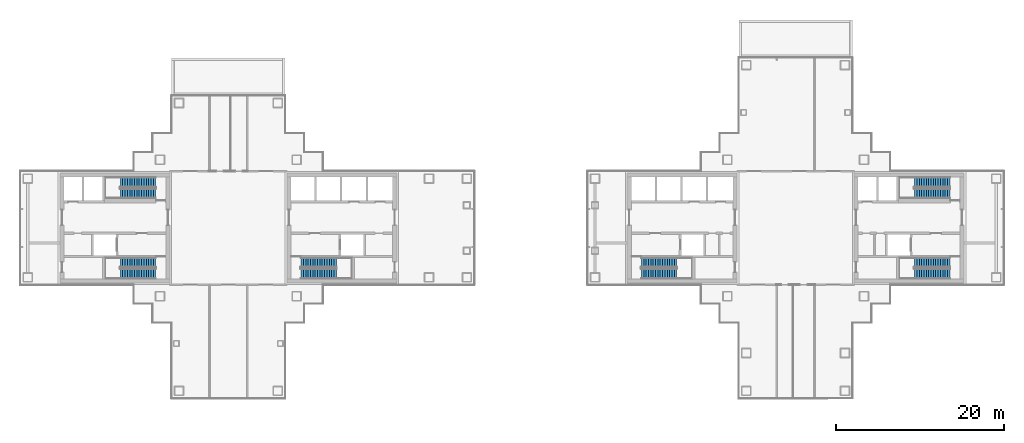
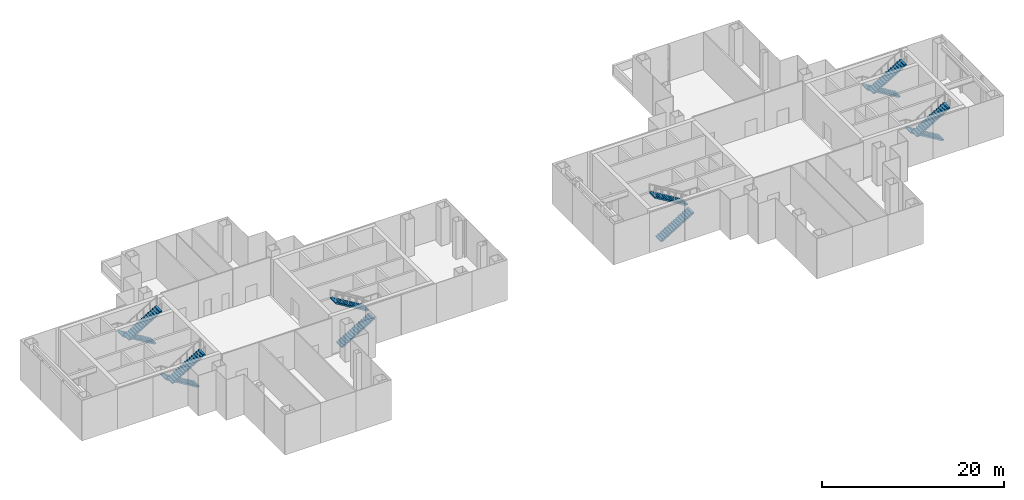
# One storey, part 13 of 15: 12 stair flights, 6 elements without a shape of their own.
"""IFC4 building model written with IfcOpenShell, lengths in metres."""

from ifc_helpers import new_model, si_unit, direction, frame, origin, place, context, subcontext, project, spatial, polyline, outline, extrude, material, type_object, element, aggregate, save


model = new_model("IFC4")

# Units and contexts
model_context = context("Model", 3, precision=1e-05, world=origin(), true_north=direction((0.0, 1.0)))
body_context = subcontext(model_context, "Body", "Model", "MODEL_VIEW")
ifc_project = project(units=[si_unit("LENGTHUNIT", "METRE"), si_unit("AREAUNIT", "SQUARE_METRE"), si_unit("VOLUMEUNIT", "CUBIC_METRE"), si_unit("PLANEANGLEUNIT", "RADIAN"), si_unit("MASSUNIT", "GRAM", prefix="KILO")], contexts=[model_context])

# Site, building, storey
site_placement = place(None, origin())
site = spatial("IfcSite", under=ifc_project, at=site_placement, CompositionType="ELEMENT")
building_placement = place(site_placement, origin())
building = spatial("IfcBuilding", under=site, at=building_placement, Name="Shamsa Quay Exchange Towers", CompositionType="ELEMENT")
storey_placement = place(building_placement, frame((0.0, 0.0, 133.5)))
storey = spatial("IfcBuildingStorey", under=building, at=storey_placement, Name="L31", CompositionType="ELEMENT", Elevation=133.5)

# Stair, stair flights
ifc_material = material(Name="Concrete C40/50", Category="concrete")
stair_type = type_object("IfcStairType", Name="EXIT STAIR 32 RISERS 169 MM", PredefinedType="HALF_TURN_STAIR", material=ifc_material)
stair_1_placement = place(storey_placement, origin())
stair_1 = element("IfcStair", 1, at=stair_1_placement, inside=storey, type_object=stair_type, Name="L31 Exit stair ST1", PredefinedType="HALF_TURN_STAIR")
stair_flight_type = type_object("IfcStairFlightType", Name="EXIT STAIR FLIGHT 16 RISERS 169 MM", PredefinedType="STRAIGHT", material=ifc_material)
stair_flight_1_placement = place(storey_placement, frame((-25.10009765625, -5.449951171875, 0.0)))
stair_flight_1 = element("IfcStairFlight", 2, at=stair_flight_1_placement, type_object=stair_flight_type, Name="ST1 flight 1", NumberOfRisers=16, NumberOfTreads=15, PredefinedType="STRAIGHT", RiserHeight=0.16875, TreadLength=0.28, context=body_context, shape_type="SweptSolid", body=[
    extrude(outline(polyline([(0.0, 0.0), (0.0, 0.168701171875), (0.280029296875, 0.168701171875), (0.280029296875, 0.33740234375), (0.56005859375, 0.33740234375), (0.56005859375, 0.50634765625), (0.840087890625, 0.50634765625), (0.840087890625, 0.675048828125), (1.1201171875, 0.675048828125), (1.1201171875, 0.84375), (1.39990234375, 0.84375), (1.39990234375, 1.012451171875), (1.679931640625, 1.012451171875), (1.679931640625, 1.18115234375), (1.9599609375, 1.18115234375), (1.9599609375, 1.35009765625), (2.239990234375, 1.35009765625), (2.239990234375, 1.518798828125), (2.52001953125, 1.518798828125), (2.52001953125, 1.6875), (2.800048828125, 1.6875), (2.800048828125, 1.856201171875), (3.080078125, 1.856201171875), (3.080078125, 2.02490234375), (3.360107421875, 2.02490234375), (3.360107421875, 2.19384765625), (3.639892578125, 2.19384765625), (3.639892578125, 2.362548828125), (3.919921875, 2.362548828125), (3.919921875, 2.53125), (4.199951171875, 2.53125), (4.199951171875, 2.699951171875), (4.199951171875, 2.367919921875), (0.27099609375, 0.0), (0.0, 0.0)])), frame((0.0, 0.60009765625, 0.0), z_axis=(0.0, -1.0, 0.0), x_axis=(1.0, 0.0, 0.0)), (0.0, 0.0, 1.0), 1.199951171875),
])
stair_flight_2_placement = place(storey_placement, frame((-20.89990234375, -4.10009765625, 2.699951171875), z_axis=(0.0, 0.0, 1.0), x_axis=(-1.0, 0.0, 0.0)))
stair_flight_2 = element("IfcStairFlight", 3, at=stair_flight_2_placement, type_object=stair_flight_type, Name="ST1 flight 2", NumberOfRisers=16, NumberOfTreads=15, PredefinedType="STRAIGHT", RiserHeight=0.16875, TreadLength=0.28, context=body_context, shape_type="SweptSolid", body=[
    extrude(outline(polyline([(0.0, 0.0), (0.0, 0.168701171875), (0.280029296875, 0.168701171875), (0.280029296875, 0.33740234375), (0.56005859375, 0.33740234375), (0.56005859375, 0.50634765625), (0.840087890625, 0.50634765625), (0.840087890625, 0.675048828125), (1.1201171875, 0.675048828125), (1.1201171875, 0.84375), (1.39990234375, 0.84375), (1.39990234375, 1.012451171875), (1.679931640625, 1.012451171875), (1.679931640625, 1.18115234375), (1.9599609375, 1.18115234375), (1.9599609375, 1.35009765625), (2.239990234375, 1.35009765625), (2.239990234375, 1.518798828125), (2.52001953125, 1.518798828125), (2.52001953125, 1.6875), (2.800048828125, 1.6875), (2.800048828125, 1.856201171875), (3.080078125, 1.856201171875), (3.080078125, 2.02490234375), (3.360107421875, 2.02490234375), (3.360107421875, 2.19384765625), (3.639892578125, 2.19384765625), (3.639892578125, 2.362548828125), (3.919921875, 2.362548828125), (3.919921875, 2.53125), (4.199951171875, 2.53125), (4.199951171875, 2.699951171875), (4.199951171875, 2.367919921875), (0.27099609375, 0.0), (0.0, 0.0)])), frame((0.0, 0.60009765625, 0.0), z_axis=(0.0, -1.0, 0.0), x_axis=(1.0, 0.0, 0.0)), (0.0, 0.0, 1.0), 1.199951171875),
])
aggregate(stair_1, [stair_flight_1, stair_flight_2])

stair_2_placement = place(storey_placement, origin())
stair_2 = element("IfcStair", 4, at=stair_2_placement, inside=storey, type_object=stair_type, Name="L31 Exit stair ST2", PredefinedType="HALF_TURN_STAIR")
stair_flight_3_placement = place(storey_placement, frame((-42.39990234375, -4.10009765625, 0.0), z_axis=(0.0, 0.0, 1.0), x_axis=(-1.0, 0.0, 0.0)))
stair_flight_3 = element("IfcStairFlight", 5, at=stair_flight_3_placement, type_object=stair_flight_type, Name="ST2 flight 1", NumberOfRisers=16, NumberOfTreads=15, PredefinedType="STRAIGHT", RiserHeight=0.16875, TreadLength=0.28, context=body_context, shape_type="SweptSolid", body=[
    extrude(outline(polyline([(0.0, 0.0), (0.0, 0.168701171875), (0.280029296875, 0.168701171875), (0.280029296875, 0.33740234375), (0.56005859375, 0.33740234375), (0.56005859375, 0.50634765625), (0.840087890625, 0.50634765625), (0.840087890625, 0.675048828125), (1.1201171875, 0.675048828125), (1.1201171875, 0.84375), (1.39990234375, 0.84375), (1.39990234375, 1.012451171875), (1.679931640625, 1.012451171875), (1.679931640625, 1.18115234375), (1.9599609375, 1.18115234375), (1.9599609375, 1.35009765625), (2.239990234375, 1.35009765625), (2.239990234375, 1.518798828125), (2.52001953125, 1.518798828125), (2.52001953125, 1.6875), (2.800048828125, 1.6875), (2.800048828125, 1.856201171875), (3.080078125, 1.856201171875), (3.080078125, 2.02490234375), (3.360107421875, 2.02490234375), (3.360107421875, 2.19384765625), (3.639892578125, 2.19384765625), (3.639892578125, 2.362548828125), (3.919921875, 2.362548828125), (3.919921875, 2.53125), (4.199951171875, 2.53125), (4.199951171875, 2.699951171875), (4.199951171875, 2.367919921875), (0.27099609375, 0.0), (0.0, 0.0)])), frame((0.0, 0.60009765625, 0.0), z_axis=(0.0, -1.0, 0.0), x_axis=(1.0, 0.0, 0.0)), (0.0, 0.0, 1.0), 1.199951171875),
])
stair_flight_4_placement = place(storey_placement, frame((-46.60009765625, -5.449951171875, 2.699951171875)))
stair_flight_4 = element("IfcStairFlight", 6, at=stair_flight_4_placement, type_object=stair_flight_type, Name="ST2 flight 2", NumberOfRisers=16, NumberOfTreads=15, PredefinedType="STRAIGHT", RiserHeight=0.16875, TreadLength=0.28, context=body_context, shape_type="SweptSolid", body=[
    extrude(outline(polyline([(0.0, 0.0), (0.0, 0.168701171875), (0.280029296875, 0.168701171875), (0.280029296875, 0.33740234375), (0.56005859375, 0.33740234375), (0.56005859375, 0.50634765625), (0.840087890625, 0.50634765625), (0.840087890625, 0.675048828125), (1.1201171875, 0.675048828125), (1.1201171875, 0.84375), (1.39990234375, 0.84375), (1.39990234375, 1.012451171875), (1.679931640625, 1.012451171875), (1.679931640625, 1.18115234375), (1.9599609375, 1.18115234375), (1.9599609375, 1.35009765625), (2.239990234375, 1.35009765625), (2.239990234375, 1.518798828125), (2.52001953125, 1.518798828125), (2.52001953125, 1.6875), (2.800048828125, 1.6875), (2.800048828125, 1.856201171875), (3.080078125, 1.856201171875), (3.080078125, 2.02490234375), (3.360107421875, 2.02490234375), (3.360107421875, 2.19384765625), (3.639892578125, 2.19384765625), (3.639892578125, 2.362548828125), (3.919921875, 2.362548828125), (3.919921875, 2.53125), (4.199951171875, 2.53125), (4.199951171875, 2.699951171875), (4.199951171875, 2.367919921875), (0.27099609375, 0.0), (0.0, 0.0)])), frame((0.0, 0.60009765625, 0.0), z_axis=(0.0, -1.0, 0.0), x_axis=(1.0, 0.0, 0.0)), (0.0, 0.0, 1.0), 1.199951171875),
])
aggregate(stair_2, [stair_flight_3, stair_flight_4])

stair_3_placement = place(storey_placement, origin())
stair_3 = element("IfcStair", 7, at=stair_3_placement, inside=storey, type_object=stair_type, Name="L31 Exit stair ST3", PredefinedType="HALF_TURN_STAIR")
stair_flight_5_placement = place(storey_placement, frame((-42.39990234375, 5.449951171875, 0.0), z_axis=(0.0, 0.0, 1.0), x_axis=(-1.0, 0.0, 0.0)))
stair_flight_5 = element("IfcStairFlight", 8, at=stair_flight_5_placement, type_object=stair_flight_type, Name="ST3 flight 1", NumberOfRisers=16, NumberOfTreads=15, PredefinedType="STRAIGHT", RiserHeight=0.16875, TreadLength=0.28, context=body_context, shape_type="SweptSolid", body=[
    extrude(outline(polyline([(0.0, 0.0), (0.0, 0.168701171875), (0.280029296875, 0.168701171875), (0.280029296875, 0.33740234375), (0.56005859375, 0.33740234375), (0.56005859375, 0.50634765625), (0.840087890625, 0.50634765625), (0.840087890625, 0.675048828125), (1.1201171875, 0.675048828125), (1.1201171875, 0.84375), (1.39990234375, 0.84375), (1.39990234375, 1.012451171875), (1.679931640625, 1.012451171875), (1.679931640625, 1.18115234375), (1.9599609375, 1.18115234375), (1.9599609375, 1.35009765625), (2.239990234375, 1.35009765625), (2.239990234375, 1.518798828125), (2.52001953125, 1.518798828125), (2.52001953125, 1.6875), (2.800048828125, 1.6875), (2.800048828125, 1.856201171875), (3.080078125, 1.856201171875), (3.080078125, 2.02490234375), (3.360107421875, 2.02490234375), (3.360107421875, 2.19384765625), (3.639892578125, 2.19384765625), (3.639892578125, 2.362548828125), (3.919921875, 2.362548828125), (3.919921875, 2.53125), (4.199951171875, 2.53125), (4.199951171875, 2.699951171875), (4.199951171875, 2.367919921875), (0.27099609375, 0.0), (0.0, 0.0)])), frame((0.0, 0.60009765625, 0.0), z_axis=(0.0, -1.0, 0.0), x_axis=(1.0, 0.0, 0.0)), (0.0, 0.0, 1.0), 1.199951171875),
])
stair_flight_6_placement = place(storey_placement, frame((-46.60009765625, 4.10009765625, 2.699951171875)))
stair_flight_6 = element("IfcStairFlight", 9, at=stair_flight_6_placement, type_object=stair_flight_type, Name="ST3 flight 2", NumberOfRisers=16, NumberOfTreads=15, PredefinedType="STRAIGHT", RiserHeight=0.16875, TreadLength=0.28, context=body_context, shape_type="SweptSolid", body=[
    extrude(outline(polyline([(0.0, 0.0), (0.0, 0.168701171875), (0.280029296875, 0.168701171875), (0.280029296875, 0.33740234375), (0.56005859375, 0.33740234375), (0.56005859375, 0.50634765625), (0.840087890625, 0.50634765625), (0.840087890625, 0.675048828125), (1.1201171875, 0.675048828125), (1.1201171875, 0.84375), (1.39990234375, 0.84375), (1.39990234375, 1.012451171875), (1.679931640625, 1.012451171875), (1.679931640625, 1.18115234375), (1.9599609375, 1.18115234375), (1.9599609375, 1.35009765625), (2.239990234375, 1.35009765625), (2.239990234375, 1.518798828125), (2.52001953125, 1.518798828125), (2.52001953125, 1.6875), (2.800048828125, 1.6875), (2.800048828125, 1.856201171875), (3.080078125, 1.856201171875), (3.080078125, 2.02490234375), (3.360107421875, 2.02490234375), (3.360107421875, 2.19384765625), (3.639892578125, 2.19384765625), (3.639892578125, 2.362548828125), (3.919921875, 2.362548828125), (3.919921875, 2.53125), (4.199951171875, 2.53125), (4.199951171875, 2.699951171875), (4.199951171875, 2.367919921875), (0.27099609375, 0.0), (0.0, 0.0)])), frame((0.0, 0.60009765625, 0.0), z_axis=(0.0, -1.0, 0.0), x_axis=(1.0, 0.0, 0.0)), (0.0, 0.0, 1.0), 1.199951171875),
])
aggregate(stair_3, [stair_flight_5, stair_flight_6])

stair_4_placement = place(storey_placement, origin())
stair_4 = element("IfcStair", 10, at=stair_4_placement, inside=storey, type_object=stair_type, Name="L31 Exit stair ST4", PredefinedType="HALF_TURN_STAIR")
stair_flight_7_placement = place(storey_placement, frame((15.39990234375, -5.449951171875, 0.0)))
stair_flight_7 = element("IfcStairFlight", 11, at=stair_flight_7_placement, type_object=stair_flight_type, Name="ST4 flight 1", NumberOfRisers=16, NumberOfTreads=15, PredefinedType="STRAIGHT", RiserHeight=0.16875, TreadLength=0.28, context=body_context, shape_type="SweptSolid", body=[
    extrude(outline(polyline([(0.0, 0.0), (0.0, 0.168701171875), (0.280029296875, 0.168701171875), (0.280029296875, 0.33740234375), (0.56005859375, 0.33740234375), (0.56005859375, 0.50634765625), (0.840087890625, 0.50634765625), (0.840087890625, 0.675048828125), (1.1201171875, 0.675048828125), (1.1201171875, 0.84375), (1.39990234375, 0.84375), (1.39990234375, 1.012451171875), (1.679931640625, 1.012451171875), (1.679931640625, 1.18115234375), (1.9599609375, 1.18115234375), (1.9599609375, 1.35009765625), (2.239990234375, 1.35009765625), (2.239990234375, 1.518798828125), (2.52001953125, 1.518798828125), (2.52001953125, 1.6875), (2.800048828125, 1.6875), (2.800048828125, 1.856201171875), (3.080078125, 1.856201171875), (3.080078125, 2.02490234375), (3.360107421875, 2.02490234375), (3.360107421875, 2.19384765625), (3.639892578125, 2.19384765625), (3.639892578125, 2.362548828125), (3.919921875, 2.362548828125), (3.919921875, 2.53125), (4.199951171875, 2.53125), (4.199951171875, 2.699951171875), (4.199951171875, 2.367919921875), (0.27099609375, 0.0), (0.0, 0.0)])), frame((0.0, 0.60009765625, 0.0), z_axis=(0.0, -1.0, 0.0), x_axis=(1.0, 0.0, 0.0)), (0.0, 0.0, 1.0), 1.199951171875),
])
stair_flight_8_placement = place(storey_placement, frame((19.60009765625, -4.10009765625, 2.699951171875), z_axis=(0.0, 0.0, 1.0), x_axis=(-1.0, 0.0, 0.0)))
stair_flight_8 = element("IfcStairFlight", 12, at=stair_flight_8_placement, type_object=stair_flight_type, Name="ST4 flight 2", NumberOfRisers=16, NumberOfTreads=15, PredefinedType="STRAIGHT", RiserHeight=0.16875, TreadLength=0.28, context=body_context, shape_type="SweptSolid", body=[
    extrude(outline(polyline([(0.0, 0.0), (0.0, 0.168701171875), (0.280029296875, 0.168701171875), (0.280029296875, 0.33740234375), (0.56005859375, 0.33740234375), (0.56005859375, 0.50634765625), (0.840087890625, 0.50634765625), (0.840087890625, 0.675048828125), (1.1201171875, 0.675048828125), (1.1201171875, 0.84375), (1.39990234375, 0.84375), (1.39990234375, 1.012451171875), (1.679931640625, 1.012451171875), (1.679931640625, 1.18115234375), (1.9599609375, 1.18115234375), (1.9599609375, 1.35009765625), (2.239990234375, 1.35009765625), (2.239990234375, 1.518798828125), (2.52001953125, 1.518798828125), (2.52001953125, 1.6875), (2.800048828125, 1.6875), (2.800048828125, 1.856201171875), (3.080078125, 1.856201171875), (3.080078125, 2.02490234375), (3.360107421875, 2.02490234375), (3.360107421875, 2.19384765625), (3.639892578125, 2.19384765625), (3.639892578125, 2.362548828125), (3.919921875, 2.362548828125), (3.919921875, 2.53125), (4.199951171875, 2.53125), (4.199951171875, 2.699951171875), (4.199951171875, 2.367919921875), (0.27099609375, 0.0), (0.0, 0.0)])), frame((0.0, 0.60009765625, 0.0), z_axis=(0.0, -1.0, 0.0), x_axis=(1.0, 0.0, 0.0)), (0.0, 0.0, 1.0), 1.199951171875),
])
aggregate(stair_4, [stair_flight_7, stair_flight_8])

stair_5_placement = place(storey_placement, origin())
stair_5 = element("IfcStair", 13, at=stair_5_placement, inside=storey, type_object=stair_type, Name="L31 Exit stair ST5", PredefinedType="HALF_TURN_STAIR")
stair_flight_9_placement = place(storey_placement, frame((52.10009765625, -4.10009765625, 0.0), z_axis=(0.0, 0.0, 1.0), x_axis=(-1.0, 0.0, 0.0)))
stair_flight_9 = element("IfcStairFlight", 14, at=stair_flight_9_placement, type_object=stair_flight_type, Name="ST5 flight 1", NumberOfRisers=16, NumberOfTreads=15, PredefinedType="STRAIGHT", RiserHeight=0.16875, TreadLength=0.28, context=body_context, shape_type="SweptSolid", body=[
    extrude(outline(polyline([(0.0, 0.0), (0.0, 0.168701171875), (0.280029296875, 0.168701171875), (0.280029296875, 0.33740234375), (0.56005859375, 0.33740234375), (0.56005859375, 0.50634765625), (0.840087890625, 0.50634765625), (0.840087890625, 0.675048828125), (1.1201171875, 0.675048828125), (1.1201171875, 0.84375), (1.39990234375, 0.84375), (1.39990234375, 1.012451171875), (1.679931640625, 1.012451171875), (1.679931640625, 1.18115234375), (1.9599609375, 1.18115234375), (1.9599609375, 1.35009765625), (2.239990234375, 1.35009765625), (2.239990234375, 1.518798828125), (2.52001953125, 1.518798828125), (2.52001953125, 1.6875), (2.800048828125, 1.6875), (2.800048828125, 1.856201171875), (3.080078125, 1.856201171875), (3.080078125, 2.02490234375), (3.360107421875, 2.02490234375), (3.360107421875, 2.19384765625), (3.639892578125, 2.19384765625), (3.639892578125, 2.362548828125), (3.919921875, 2.362548828125), (3.919921875, 2.53125), (4.199951171875, 2.53125), (4.199951171875, 2.699951171875), (4.199951171875, 2.367919921875), (0.27099609375, 0.0), (0.0, 0.0)])), frame((0.0, 0.60009765625, 0.0), z_axis=(0.0, -1.0, 0.0), x_axis=(1.0, 0.0, 0.0)), (0.0, 0.0, 1.0), 1.199951171875),
])
stair_flight_10_placement = place(storey_placement, frame((47.89990234375, -5.449951171875, 2.699951171875)))
stair_flight_10 = element("IfcStairFlight", 15, at=stair_flight_10_placement, type_object=stair_flight_type, Name="ST5 flight 2", NumberOfRisers=16, NumberOfTreads=15, PredefinedType="STRAIGHT", RiserHeight=0.16875, TreadLength=0.28, context=body_context, shape_type="SweptSolid", body=[
    extrude(outline(polyline([(0.0, 0.0), (0.0, 0.168701171875), (0.280029296875, 0.168701171875), (0.280029296875, 0.33740234375), (0.56005859375, 0.33740234375), (0.56005859375, 0.50634765625), (0.840087890625, 0.50634765625), (0.840087890625, 0.675048828125), (1.1201171875, 0.675048828125), (1.1201171875, 0.84375), (1.39990234375, 0.84375), (1.39990234375, 1.012451171875), (1.679931640625, 1.012451171875), (1.679931640625, 1.18115234375), (1.9599609375, 1.18115234375), (1.9599609375, 1.35009765625), (2.239990234375, 1.35009765625), (2.239990234375, 1.518798828125), (2.52001953125, 1.518798828125), (2.52001953125, 1.6875), (2.800048828125, 1.6875), (2.800048828125, 1.856201171875), (3.080078125, 1.856201171875), (3.080078125, 2.02490234375), (3.360107421875, 2.02490234375), (3.360107421875, 2.19384765625), (3.639892578125, 2.19384765625), (3.639892578125, 2.362548828125), (3.919921875, 2.362548828125), (3.919921875, 2.53125), (4.199951171875, 2.53125), (4.199951171875, 2.699951171875), (4.199951171875, 2.367919921875), (0.27099609375, 0.0), (0.0, 0.0)])), frame((0.0, 0.60009765625, 0.0), z_axis=(0.0, -1.0, 0.0), x_axis=(1.0, 0.0, 0.0)), (0.0, 0.0, 1.0), 1.199951171875),
])
aggregate(stair_5, [stair_flight_9, stair_flight_10])

stair_6_placement = place(storey_placement, origin())
stair_6 = element("IfcStair", 16, at=stair_6_placement, inside=storey, type_object=stair_type, Name="L31 Exit stair ST6", PredefinedType="HALF_TURN_STAIR")
stair_flight_11_placement = place(storey_placement, frame((52.10009765625, 5.449951171875, 0.0), z_axis=(0.0, 0.0, 1.0), x_axis=(-1.0, 0.0, 0.0)))
stair_flight_11 = element("IfcStairFlight", 17, at=stair_flight_11_placement, type_object=stair_flight_type, Name="ST6 flight 1", NumberOfRisers=16, NumberOfTreads=15, PredefinedType="STRAIGHT", RiserHeight=0.16875, TreadLength=0.28, context=body_context, shape_type="SweptSolid", body=[
    extrude(outline(polyline([(0.0, 0.0), (0.0, 0.168701171875), (0.280029296875, 0.168701171875), (0.280029296875, 0.33740234375), (0.56005859375, 0.33740234375), (0.56005859375, 0.50634765625), (0.840087890625, 0.50634765625), (0.840087890625, 0.675048828125), (1.1201171875, 0.675048828125), (1.1201171875, 0.84375), (1.39990234375, 0.84375), (1.39990234375, 1.012451171875), (1.679931640625, 1.012451171875), (1.679931640625, 1.18115234375), (1.9599609375, 1.18115234375), (1.9599609375, 1.35009765625), (2.239990234375, 1.35009765625), (2.239990234375, 1.518798828125), (2.52001953125, 1.518798828125), (2.52001953125, 1.6875), (2.800048828125, 1.6875), (2.800048828125, 1.856201171875), (3.080078125, 1.856201171875), (3.080078125, 2.02490234375), (3.360107421875, 2.02490234375), (3.360107421875, 2.19384765625), (3.639892578125, 2.19384765625), (3.639892578125, 2.362548828125), (3.919921875, 2.362548828125), (3.919921875, 2.53125), (4.199951171875, 2.53125), (4.199951171875, 2.699951171875), (4.199951171875, 2.367919921875), (0.27099609375, 0.0), (0.0, 0.0)])), frame((0.0, 0.60009765625, 0.0), z_axis=(0.0, -1.0, 0.0), x_axis=(1.0, 0.0, 0.0)), (0.0, 0.0, 1.0), 1.199951171875),
])
stair_flight_12_placement = place(storey_placement, frame((47.89990234375, 4.10009765625, 2.699951171875)))
stair_flight_12 = element("IfcStairFlight", 18, at=stair_flight_12_placement, type_object=stair_flight_type, Name="ST6 flight 2", NumberOfRisers=16, NumberOfTreads=15, PredefinedType="STRAIGHT", RiserHeight=0.16875, TreadLength=0.28, context=body_context, shape_type="SweptSolid", body=[
    extrude(outline(polyline([(0.0, 0.0), (0.0, 0.168701171875), (0.280029296875, 0.168701171875), (0.280029296875, 0.33740234375), (0.56005859375, 0.33740234375), (0.56005859375, 0.50634765625), (0.840087890625, 0.50634765625), (0.840087890625, 0.675048828125), (1.1201171875, 0.675048828125), (1.1201171875, 0.84375), (1.39990234375, 0.84375), (1.39990234375, 1.012451171875), (1.679931640625, 1.012451171875), (1.679931640625, 1.18115234375), (1.9599609375, 1.18115234375), (1.9599609375, 1.35009765625), (2.239990234375, 1.35009765625), (2.239990234375, 1.518798828125), (2.52001953125, 1.518798828125), (2.52001953125, 1.6875), (2.800048828125, 1.6875), (2.800048828125, 1.856201171875), (3.080078125, 1.856201171875), (3.080078125, 2.02490234375), (3.360107421875, 2.02490234375), (3.360107421875, 2.19384765625), (3.639892578125, 2.19384765625), (3.639892578125, 2.362548828125), (3.919921875, 2.362548828125), (3.919921875, 2.53125), (4.199951171875, 2.53125), (4.199951171875, 2.699951171875), (4.199951171875, 2.367919921875), (0.27099609375, 0.0), (0.0, 0.0)])), frame((0.0, 0.60009765625, 0.0), z_axis=(0.0, -1.0, 0.0), x_axis=(1.0, 0.0, 0.0)), (0.0, 0.0, 1.0), 1.199951171875),
])
aggregate(stair_6, [stair_flight_11, stair_flight_12])

save(model, "model.ifc")
